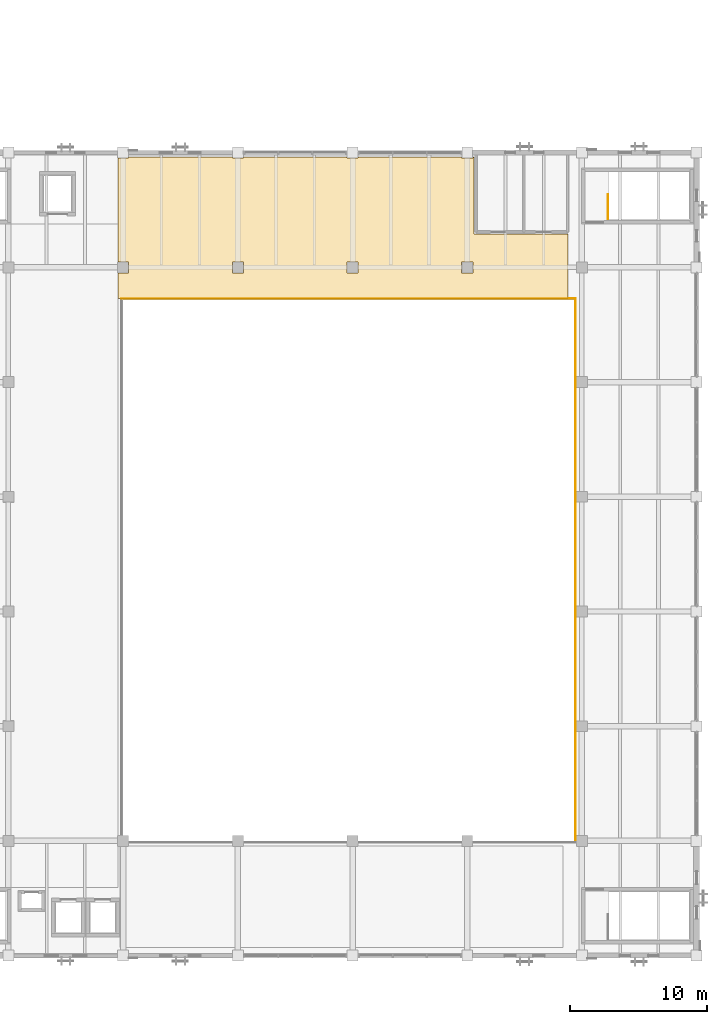
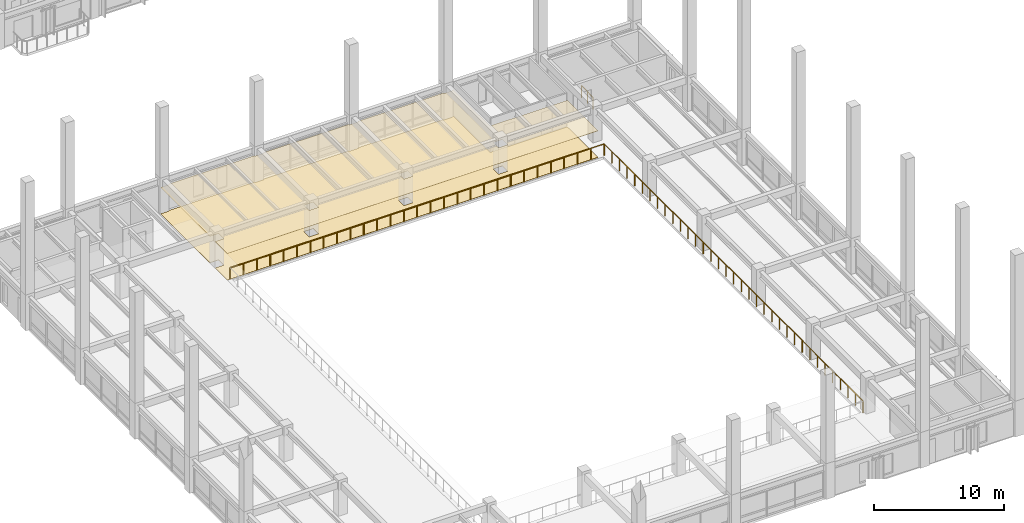
# One storey, part 56 of 64: 3 railings, 2 coverings.
"""IFC4 building model written with IfcOpenShell, lengths in metres."""

from ifc_helpers import new_model, si_unit, direction, frame, origin, origin_2d, place, context, subcontext, project, spatial, polyline, circle, outline, extrude, material, layer, layer_set, type_object, element, save


model = new_model("IFC4")

# Units and contexts
model_context = context("Model", 3, precision=1e-05, world=origin(), true_north=direction((0.0, 1.0)))
body_context = subcontext(model_context, "Body", "Model", "MODEL_VIEW")
ifc_project = project(units=[si_unit("LENGTHUNIT", "METRE"), si_unit("AREAUNIT", "SQUARE_METRE"), si_unit("VOLUMEUNIT", "CUBIC_METRE"), si_unit("PLANEANGLEUNIT", "RADIAN"), si_unit("MASSUNIT", "GRAM", prefix="KILO")], contexts=[model_context])

# Site, building, storey
site_placement = place(None, origin())
site = spatial("IfcSite", under=ifc_project, at=site_placement, CompositionType="ELEMENT")
building_placement = place(site_placement, origin())
building = spatial("IfcBuilding", under=site, at=building_placement, Name="Cumbredor Promenade Congress Hotel", CompositionType="ELEMENT")
storey_placement = place(building_placement, frame((0.0, 0.0, 18.47998046875)))
storey = spatial("IfcBuildingStorey", under=building, at=storey_placement, Name="L05", CompositionType="ELEMENT", Elevation=18.47998046875)

# Covering
ifc_material_1 = material(Name="Acoustic mineral-fiber and gypsum ceiling")
ifc_layer_1 = layer(ifc_material_1, 0.02197265625, Name="Acoustic mineral-fiber and gypsum ceiling")
ifc_layer_set_1 = layer_set([ifc_layer_1], Name="Acoustic mineral-fiber and gypsum ceiling")
covering_type_1 = type_object("IfcCoveringType", Name="Acoustic Perforated Gypsum Ceiling CLG-02 22mm", PredefinedType="CEILING", material=ifc_layer_set_1)
covering_1_placement = place(storey_placement, frame((0.0, 0.0, 2.488037109375)))
element("IfcCovering", 1, at=covering_1_placement, inside=storey, type_object=covering_type_1, Name="L05 Plenary North Concourse Corridor Acoustic Ceiling", PredefinedType="CEILING", context=body_context, shape_type="SweptSolid", body=[
    extrude(outline(polyline([(33.195068359375, 66.8701171875), (33.195068359375, 66.794921875), (34.0048828125, 66.794921875), (34.0048828125, 66.8701171875), (41.594970703125, 66.8701171875), (41.594970703125, 66.794921875), (42.405029296875, 66.794921875), (42.405029296875, 66.8701171875), (49.9951171875, 66.8701171875), (49.9951171875, 66.794921875), (50.804931640625, 66.794921875), (50.804931640625, 66.8701171875), (50.89990234375, 66.8701171875), (50.89990234375, 61.25), (57.77001953125, 61.25), (57.77001953125, 56.530029296875), (24.830078125, 56.530029296875), (24.830078125, 58.39501953125), (25.60498046875, 58.39501953125), (25.60498046875, 59.205078125), (24.830078125, 59.205078125), (24.830078125, 66.794921875), (25.60498046875, 66.794921875), (25.60498046875, 66.8701171875), (33.195068359375, 66.8701171875)]), holes=[polyline([(33.195068359375, 59.205078125), (33.195068359375, 58.39501953125), (34.0048828125, 58.39501953125), (34.0048828125, 59.205078125), (33.195068359375, 59.205078125)]), polyline([(42.405029296875, 58.39501953125), (42.405029296875, 59.205078125), (41.594970703125, 59.205078125), (41.594970703125, 58.39501953125), (42.405029296875, 58.39501953125)]), polyline([(49.9951171875, 59.205078125), (49.9951171875, 58.39501953125), (50.804931640625, 58.39501953125), (50.804931640625, 59.205078125), (49.9951171875, 59.205078125)])]), origin(), (0.0, 0.0, 1.0), 0.02197265625),
])

# Railings
ifc_material_2 = material(Name="Brushed stainless steel", Category="steel")
railing_type = type_object("IfcRailingType", Name="Interior Void & Stair Guardrail GR-1100", PredefinedType="GUARDRAIL", material=ifc_material_2)
railing_1_placement = place(storey_placement, frame((60.699951171875, 62.35009765625, 0.0)))
element("IfcRailing", 2, at=railing_1_placement, inside=storey, type_object=railing_type, Name="L05 ST-07 top well guard 1", PredefinedType="GUARDRAIL", context=body_context, shape_type="SweptSolid", body=[
    extrude(circle(Radius=0.02392578125, at=origin_2d()), frame((0.0, 0.0, 1.09619140625), z_axis=(0.0, 1.0, 0.0), x_axis=(-1.0, 0.0, 0.0)), (0.0, 0.0, 1.0), 1.7998046875),
    extrude(circle(Radius=0.02099609375, at=origin_2d()), origin(), (0.0, 0.0, 1.0), 1.072021484375),
    extrude(circle(Radius=0.02099609375, at=origin_2d()), frame((0.0, 0.89990234375, 0.0)), (0.0, 0.0, 1.0), 1.072021484375),
    extrude(circle(Radius=0.02099609375, at=origin_2d()), frame((0.0, 1.7998046875, 0.0)), (0.0, 0.0, 1.0), 1.072021484375),
])
railing_2_placement = place(storey_placement, frame((58.320068359375, 16.679931640625, 0.0)))
element("IfcRailing", 3, at=railing_2_placement, inside=storey, type_object=railing_type, Name="L05 v1_plenary_bowl Void Perimeter Guardrail 2", PredefinedType="GUARDRAIL", context=body_context, shape_type="SweptSolid", body=[
    extrude(circle(Radius=0.02392578125, at=origin_2d()), frame((0.0, 0.0, 1.09619140625), z_axis=(0.0, 1.0, 0.0), x_axis=(-1.0, 0.0, 0.0)), (0.0, 0.0, 1.0), 39.840087890625),
    extrude(circle(Radius=0.02099609375, at=origin_2d()), origin(), (0.0, 0.0, 1.0), 1.072021484375),
    extrude(circle(Radius=0.02099609375, at=origin_2d()), frame((0.0, 1.171875, 0.0)), (0.0, 0.0, 1.0), 1.072021484375),
    extrude(circle(Radius=0.02099609375, at=origin_2d()), frame((0.0, 2.343505859375, 0.0)), (0.0, 0.0, 1.0), 1.072021484375),
    extrude(circle(Radius=0.02099609375, at=origin_2d()), frame((0.0, 3.515380859375, 0.0)), (0.0, 0.0, 1.0), 1.072021484375),
    extrude(circle(Radius=0.02099609375, at=origin_2d()), frame((0.0, 4.68701171875, 0.0)), (0.0, 0.0, 1.0), 1.072021484375),
    extrude(circle(Radius=0.02099609375, at=origin_2d()), frame((0.0, 5.85888671875, 0.0)), (0.0, 0.0, 1.0), 1.072021484375),
    extrude(circle(Radius=0.02099609375, at=origin_2d()), frame((0.0, 7.030517578125, 0.0)), (0.0, 0.0, 1.0), 1.072021484375),
    extrude(circle(Radius=0.02099609375, at=origin_2d()), frame((0.0, 8.202392578125, 0.0)), (0.0, 0.0, 1.0), 1.072021484375),
    extrude(circle(Radius=0.02099609375, at=origin_2d()), frame((0.0, 9.3740234375, 0.0)), (0.0, 0.0, 1.0), 1.072021484375),
    extrude(circle(Radius=0.02099609375, at=origin_2d()), frame((0.0, 10.5458984375, 0.0)), (0.0, 0.0, 1.0), 1.072021484375),
    extrude(circle(Radius=0.02099609375, at=origin_2d()), frame((0.0, 11.7177734375, 0.0)), (0.0, 0.0, 1.0), 1.072021484375),
    extrude(circle(Radius=0.02099609375, at=origin_2d()), frame((0.0, 12.889404296875, 0.0)), (0.0, 0.0, 1.0), 1.072021484375),
    extrude(circle(Radius=0.02099609375, at=origin_2d()), frame((0.0, 14.061279296875, 0.0)), (0.0, 0.0, 1.0), 1.072021484375),
    extrude(circle(Radius=0.02099609375, at=origin_2d()), frame((0.0, 15.23291015625, 0.0)), (0.0, 0.0, 1.0), 1.072021484375),
    extrude(circle(Radius=0.02099609375, at=origin_2d()), frame((0.0, 16.40478515625, 0.0)), (0.0, 0.0, 1.0), 1.072021484375),
    extrude(circle(Radius=0.02099609375, at=origin_2d()), frame((0.0, 17.576416015625, 0.0)), (0.0, 0.0, 1.0), 1.072021484375),
    extrude(circle(Radius=0.02099609375, at=origin_2d()), frame((0.0, 18.748291015625, 0.0)), (0.0, 0.0, 1.0), 1.072021484375),
    extrude(circle(Radius=0.02099609375, at=origin_2d()), frame((0.0, 19.919921875, 0.0)), (0.0, 0.0, 1.0), 1.072021484375),
    extrude(circle(Radius=0.02099609375, at=origin_2d()), frame((0.0, 21.091796875, 0.0)), (0.0, 0.0, 1.0), 1.072021484375),
    extrude(circle(Radius=0.02099609375, at=origin_2d()), frame((0.0, 22.263671875, 0.0)), (0.0, 0.0, 1.0), 1.072021484375),
    extrude(circle(Radius=0.02099609375, at=origin_2d()), frame((0.0, 23.435302734375, 0.0)), (0.0, 0.0, 1.0), 1.072021484375),
    extrude(circle(Radius=0.02099609375, at=origin_2d()), frame((0.0, 24.607177734375, 0.0)), (0.0, 0.0, 1.0), 1.072021484375),
    extrude(circle(Radius=0.02099609375, at=origin_2d()), frame((0.0, 25.77880859375, 0.0)), (0.0, 0.0, 1.0), 1.072021484375),
    extrude(circle(Radius=0.02099609375, at=origin_2d()), frame((0.0, 26.95068359375, 0.0)), (0.0, 0.0, 1.0), 1.072021484375),
    extrude(circle(Radius=0.02099609375, at=origin_2d()), frame((0.0, 28.122314453125, 0.0)), (0.0, 0.0, 1.0), 1.072021484375),
    extrude(circle(Radius=0.02099609375, at=origin_2d()), frame((0.0, 29.294189453125, 0.0)), (0.0, 0.0, 1.0), 1.072021484375),
    extrude(circle(Radius=0.02099609375, at=origin_2d()), frame((0.0, 30.466064453125, 0.0)), (0.0, 0.0, 1.0), 1.072021484375),
    extrude(circle(Radius=0.02099609375, at=origin_2d()), frame((0.0, 31.6376953125, 0.0)), (0.0, 0.0, 1.0), 1.072021484375),
    extrude(circle(Radius=0.02099609375, at=origin_2d()), frame((0.0, 32.8095703125, 0.0)), (0.0, 0.0, 1.0), 1.072021484375),
    extrude(circle(Radius=0.02099609375, at=origin_2d()), frame((0.0, 33.981201171875, 0.0)), (0.0, 0.0, 1.0), 1.072021484375),
    extrude(circle(Radius=0.02099609375, at=origin_2d()), frame((0.0, 35.153076171875, 0.0)), (0.0, 0.0, 1.0), 1.072021484375),
    extrude(circle(Radius=0.02099609375, at=origin_2d()), frame((0.0, 36.32470703125, 0.0)), (0.0, 0.0, 1.0), 1.072021484375),
    extrude(circle(Radius=0.02099609375, at=origin_2d()), frame((0.0, 37.49658203125, 0.0)), (0.0, 0.0, 1.0), 1.072021484375),
    extrude(circle(Radius=0.02099609375, at=origin_2d()), frame((0.0, 38.668212890625, 0.0)), (0.0, 0.0, 1.0), 1.072021484375),
    extrude(circle(Radius=0.02099609375, at=origin_2d()), frame((0.0, 39.840087890625, 0.0)), (0.0, 0.0, 1.0), 1.072021484375),
])
railing_3_placement = place(storey_placement, frame((58.320068359375, 56.52001953125, 0.0)))
element("IfcRailing", 4, at=railing_3_placement, inside=storey, type_object=railing_type, Name="L05 v1_plenary_bowl Void Perimeter Guardrail 3", PredefinedType="GUARDRAIL", context=body_context, shape_type="SweptSolid", body=[
    extrude(circle(Radius=0.02392578125, at=origin_2d()), frame((0.0, 0.0, 1.09619140625), z_axis=(-1.0, 0.0, 0.0), x_axis=(0.0, -1.0, 0.0)), (0.0, 0.0, 1.0), 33.239990234375),
    extrude(circle(Radius=0.02099609375, at=origin_2d()), origin(), (0.0, 0.0, 1.0), 1.072021484375),
    extrude(circle(Radius=0.02099609375, at=origin_2d()), frame((-1.187255859375, 0.0, 0.0)), (0.0, 0.0, 1.0), 1.072021484375),
    extrude(circle(Radius=0.02099609375, at=origin_2d()), frame((-2.374267578125, 0.0, 0.0)), (0.0, 0.0, 1.0), 1.072021484375),
    extrude(circle(Radius=0.02099609375, at=origin_2d()), frame((-3.5615234375, 0.0, 0.0)), (0.0, 0.0, 1.0), 1.072021484375),
    extrude(circle(Radius=0.02099609375, at=origin_2d()), frame((-4.74853515625, 0.0, 0.0)), (0.0, 0.0, 1.0), 1.072021484375),
    extrude(circle(Radius=0.02099609375, at=origin_2d()), frame((-5.935791015625, 0.0, 0.0)), (0.0, 0.0, 1.0), 1.072021484375),
    extrude(circle(Radius=0.02099609375, at=origin_2d()), frame((-7.122802734375, 0.0, 0.0)), (0.0, 0.0, 1.0), 1.072021484375),
    extrude(circle(Radius=0.02099609375, at=origin_2d()), frame((-8.31005859375, 0.0, 0.0)), (0.0, 0.0, 1.0), 1.072021484375),
    extrude(circle(Radius=0.02099609375, at=origin_2d()), frame((-9.4970703125, 0.0, 0.0)), (0.0, 0.0, 1.0), 1.072021484375),
    extrude(circle(Radius=0.02099609375, at=origin_2d()), frame((-10.684326171875, 0.0, 0.0)), (0.0, 0.0, 1.0), 1.072021484375),
    extrude(circle(Radius=0.02099609375, at=origin_2d()), frame((-11.871337890625, 0.0, 0.0)), (0.0, 0.0, 1.0), 1.072021484375),
    extrude(circle(Radius=0.02099609375, at=origin_2d()), frame((-13.05859375, 0.0, 0.0)), (0.0, 0.0, 1.0), 1.072021484375),
    extrude(circle(Radius=0.02099609375, at=origin_2d()), frame((-14.24560546875, 0.0, 0.0)), (0.0, 0.0, 1.0), 1.072021484375),
    extrude(circle(Radius=0.02099609375, at=origin_2d()), frame((-15.432861328125, 0.0, 0.0)), (0.0, 0.0, 1.0), 1.072021484375),
    extrude(circle(Radius=0.02099609375, at=origin_2d()), frame((-16.6201171875, 0.0, 0.0)), (0.0, 0.0, 1.0), 1.072021484375),
    extrude(circle(Radius=0.02099609375, at=origin_2d()), frame((-17.80712890625, 0.0, 0.0)), (0.0, 0.0, 1.0), 1.072021484375),
    extrude(circle(Radius=0.02099609375, at=origin_2d()), frame((-18.994384765625, 0.0, 0.0)), (0.0, 0.0, 1.0), 1.072021484375),
    extrude(circle(Radius=0.02099609375, at=origin_2d()), frame((-20.181396484375, 0.0, 0.0)), (0.0, 0.0, 1.0), 1.072021484375),
    extrude(circle(Radius=0.02099609375, at=origin_2d()), frame((-21.36865234375, 0.0, 0.0)), (0.0, 0.0, 1.0), 1.072021484375),
    extrude(circle(Radius=0.02099609375, at=origin_2d()), frame((-22.5556640625, 0.0, 0.0)), (0.0, 0.0, 1.0), 1.072021484375),
    extrude(circle(Radius=0.02099609375, at=origin_2d()), frame((-23.742919921875, 0.0, 0.0)), (0.0, 0.0, 1.0), 1.072021484375),
    extrude(circle(Radius=0.02099609375, at=origin_2d()), frame((-24.929931640625, 0.0, 0.0)), (0.0, 0.0, 1.0), 1.072021484375),
    extrude(circle(Radius=0.02099609375, at=origin_2d()), frame((-26.1171875, 0.0, 0.0)), (0.0, 0.0, 1.0), 1.072021484375),
    extrude(circle(Radius=0.02099609375, at=origin_2d()), frame((-27.30419921875, 0.0, 0.0)), (0.0, 0.0, 1.0), 1.072021484375),
    extrude(circle(Radius=0.02099609375, at=origin_2d()), frame((-28.491455078125, 0.0, 0.0)), (0.0, 0.0, 1.0), 1.072021484375),
    extrude(circle(Radius=0.02099609375, at=origin_2d()), frame((-29.678466796875, 0.0, 0.0)), (0.0, 0.0, 1.0), 1.072021484375),
    extrude(circle(Radius=0.02099609375, at=origin_2d()), frame((-30.86572265625, 0.0, 0.0)), (0.0, 0.0, 1.0), 1.072021484375),
    extrude(circle(Radius=0.02099609375, at=origin_2d()), frame((-32.052734375, 0.0, 0.0)), (0.0, 0.0, 1.0), 1.072021484375),
    extrude(circle(Radius=0.02099609375, at=origin_2d()), frame((-33.239990234375, 0.0, 0.0)), (0.0, 0.0, 1.0), 1.072021484375),
])

# Covering
ifc_material_3 = material(Name="Porcelain stoneware tile", Category="masonry")
ifc_layer_2 = layer(ifc_material_3, 0.02001953125, Name="Porcelain stoneware tile", Category="masonry")
ifc_layer_set_2 = layer_set([ifc_layer_2], Name="Porcelain stoneware tile")
covering_type_2 = type_object("IfcCoveringType", Name="Porcelain Stoneware Flooring FLR-01 20mm", PredefinedType="FLOORING", material=ifc_layer_set_2)
covering_2_placement = place(storey_placement, origin())
element("IfcCovering", 5, at=covering_2_placement, inside=storey, type_object=covering_type_2, Name="L05 Plenary North Concourse Corridor Porcelain Flooring", PredefinedType="FLOORING", context=body_context, shape_type="SweptSolid", body=[
    extrude(outline(polyline([(33.195068359375, 66.8701171875), (33.195068359375, 66.794921875), (34.0048828125, 66.794921875), (34.0048828125, 66.8701171875), (41.594970703125, 66.8701171875), (41.594970703125, 66.794921875), (42.405029296875, 66.794921875), (42.405029296875, 66.8701171875), (49.9951171875, 66.8701171875), (49.9951171875, 66.794921875), (50.804931640625, 66.794921875), (50.804931640625, 66.8701171875), (50.89990234375, 66.8701171875), (50.89990234375, 61.25), (57.77001953125, 61.25), (57.77001953125, 56.530029296875), (24.830078125, 56.530029296875), (24.830078125, 58.39501953125), (25.60498046875, 58.39501953125), (25.60498046875, 59.205078125), (24.830078125, 59.205078125), (24.830078125, 66.794921875), (25.60498046875, 66.794921875), (25.60498046875, 66.8701171875), (33.195068359375, 66.8701171875)]), holes=[polyline([(33.195068359375, 59.205078125), (33.195068359375, 58.39501953125), (34.0048828125, 58.39501953125), (34.0048828125, 59.205078125), (33.195068359375, 59.205078125)]), polyline([(42.405029296875, 58.39501953125), (42.405029296875, 59.205078125), (41.594970703125, 59.205078125), (41.594970703125, 58.39501953125), (42.405029296875, 58.39501953125)]), polyline([(49.9951171875, 59.205078125), (49.9951171875, 58.39501953125), (50.804931640625, 58.39501953125), (50.804931640625, 59.205078125), (49.9951171875, 59.205078125)])]), origin(), (0.0, 0.0, 1.0), 0.02001953125),
])

save(model, "model.ifc")
